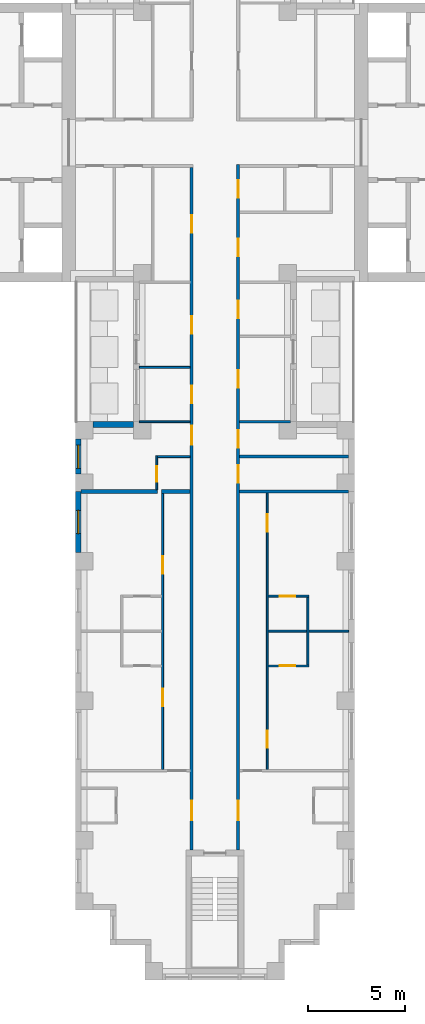
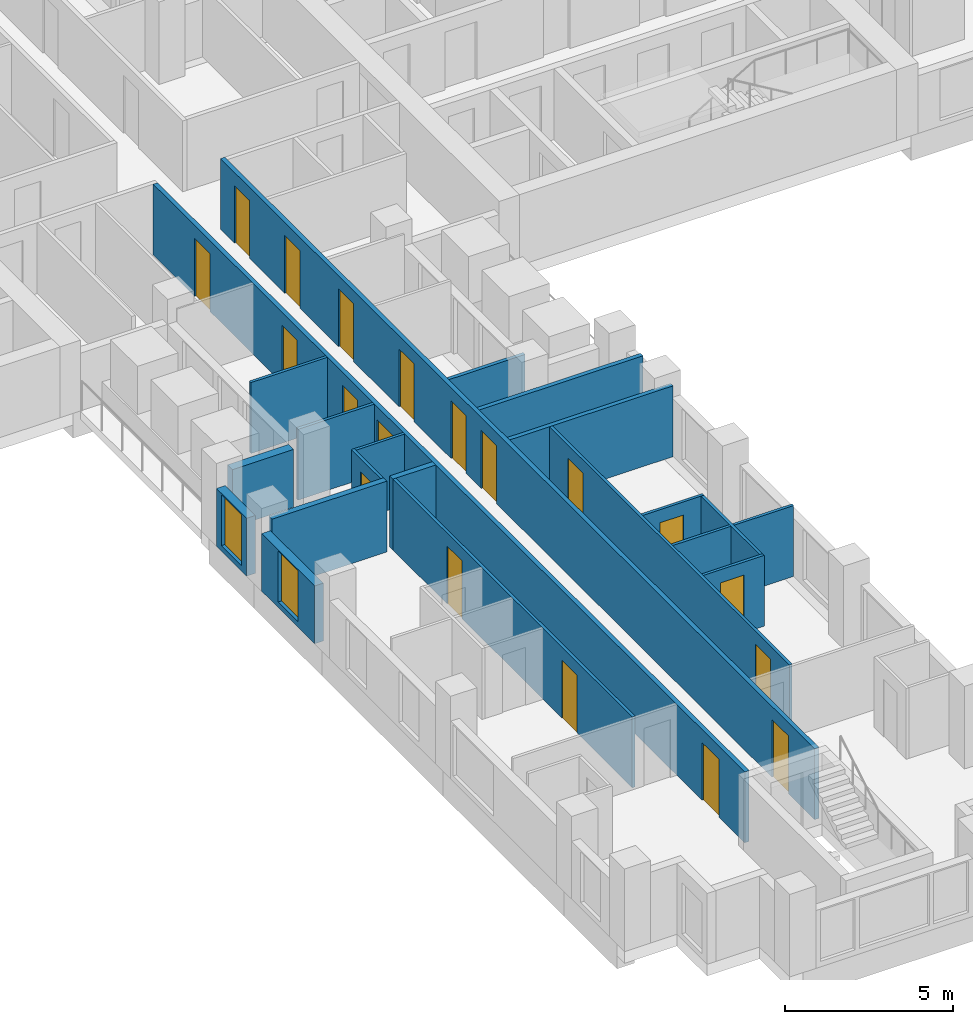
# One storey, part 4 of 15: 20 walls, 19 doors, 2 windows, 21 openings.
"""IFC4 building model written with IfcOpenShell, lengths in metres."""

from ifc_helpers import new_model, si_unit, direction, frame, frame_2d, origin, place, context, subcontext, project, spatial, rectangle, extrude, material, layer, layer_set, type_object, element, fill, save


model = new_model("IFC4")

# Units and contexts
model_context = context("Model", 3, precision=1e-05, world=origin(), true_north=direction((0.0, 1.0)))
body_context = subcontext(model_context, "Body", "Model", "MODEL_VIEW")
ifc_project = project(units=[si_unit("LENGTHUNIT", "METRE"), si_unit("AREAUNIT", "SQUARE_METRE"), si_unit("VOLUMEUNIT", "CUBIC_METRE"), si_unit("PLANEANGLEUNIT", "RADIAN"), si_unit("MASSUNIT", "GRAM", prefix="KILO")], contexts=[model_context])

# Site, building, storey
site_placement = place(None, origin())
site = spatial("IfcSite", under=ifc_project, at=site_placement, CompositionType="ELEMENT")
building_placement = place(site_placement, origin())
building = spatial("IfcBuilding", under=site, at=building_placement, Name="Fustian Cross Tower", CompositionType="ELEMENT")
storey_placement = place(building_placement, frame((0.0, 0.0, 53.699951171875)))
storey = spatial("IfcBuildingStorey", under=building, at=storey_placement, Name="L16", CompositionType="ELEMENT", Elevation=53.699951171875)

# Wall, openings, doors
ifc_material_1 = material(Name="Plasterboard on steel stud", Category="steel")
ifc_layer_1 = layer(ifc_material_1, 0.14990234375)
ifc_layer_set_1 = layer_set([ifc_layer_1], Name="Plasterboard on steel stud")
wall_type_1 = type_object("IfcWallType", Name="COMPARTMENT WALL 150 EI 60", PredefinedType="PARTITIONING", material=ifc_layer_set_1)
wall_1_placement = place(storey_placement, frame((-1.199951171875, -36.5, 0.0), z_axis=(0.0, 0.0, 1.0), x_axis=(0.0, 1.0, 0.0)))
wall_1 = element("IfcWall", 1, at=wall_1_placement, inside=storey, type_object=wall_type_1, Name="Partition 46", PredefinedType="PARTITIONING", context=body_context, shape_type="SweptSolid", body=[
    extrude(rectangle(XDim=35.22509765625, YDim=0.14990234375, at=frame_2d((17.612548828125, 0.0))), origin(), (0.0, 0.0, 1.0), 2.574951171875),
])
opening_1_placement = place(wall_1_placement, frame((31.85009765625, 0.0, 0.0)))
opening_1 = element("IfcOpeningElement", 2, at=opening_1_placement, cuts=wall_1, Name="Opening D09009", PredefinedType="OPENING", context=body_context, shape_type="SweptSolid", body=[
    extrude(rectangle(XDim=0.89990234375, YDim=2.10009765625, at=frame_2d((0.449951171875, 1.050048828125))), frame((0.0, 0.0849609375, 0.0), z_axis=(0.0, -1.0, 0.0), x_axis=(1.0, 0.0, 0.0)), (0.0, 0.0, 1.0), 0.169921875),
])
opening_2_placement = place(wall_1_placement, frame((23.050048828125, 0.0, 0.0)))
opening_2 = element("IfcOpeningElement", 3, at=opening_2_placement, cuts=wall_1, Name="Opening D09064", PredefinedType="OPENING", context=body_context, shape_type="SweptSolid", body=[
    extrude(rectangle(XDim=0.89990234375, YDim=2.10009765625, at=frame_2d((0.449951171875, 1.050048828125))), frame((0.0, 0.0849609375, 0.0), z_axis=(0.0, -1.0, 0.0), x_axis=(1.0, 0.0, 0.0)), (0.0, 0.0, 1.0), 0.169921875),
])
opening_3_placement = place(wall_1_placement, frame((26.64990234375, 0.0, 0.0)))
opening_3 = element("IfcOpeningElement", 4, at=opening_3_placement, cuts=wall_1, Name="Opening D09065", PredefinedType="OPENING", context=body_context, shape_type="SweptSolid", body=[
    extrude(rectangle(XDim=0.89990234375, YDim=2.10009765625, at=frame_2d((0.449951171875, 1.050048828125))), frame((0.0, 0.0849609375, 0.0), z_axis=(0.0, -1.0, 0.0), x_axis=(1.0, 0.0, 0.0)), (0.0, 0.0, 1.0), 0.169921875),
])
opening_4_placement = place(wall_1_placement, frame((20.89990234375, 0.0, 0.0)))
opening_4 = element("IfcOpeningElement", 5, at=opening_4_placement, cuts=wall_1, Name="Opening D09067", PredefinedType="OPENING", context=body_context, shape_type="SweptSolid", body=[
    extrude(rectangle(XDim=1.0, YDim=2.10009765625, at=frame_2d((0.5, 1.050048828125))), frame((0.0, 0.0849609375, 0.0), z_axis=(0.0, -1.0, 0.0), x_axis=(1.0, 0.0, 0.0)), (0.0, 0.0, 1.0), 0.169921875),
])
opening_5_placement = place(wall_1_placement, frame((1.550048828125, 0.0, 0.0)))
opening_5 = element("IfcOpeningElement", 6, at=opening_5_placement, cuts=wall_1, Name="Opening D09069", PredefinedType="OPENING", context=body_context, shape_type="SweptSolid", body=[
    extrude(rectangle(XDim=1.0, YDim=2.10009765625, at=frame_2d((0.5, 1.050048828125))), frame((0.0, 0.0849609375, 0.0), z_axis=(0.0, -1.0, 0.0), x_axis=(1.0, 0.0, 0.0)), (0.0, 0.0, 1.0), 0.169921875),
])
ifc_material_2 = material(Name="Timber fire door set", Category="wood")
door_type_1 = type_object("IfcDoorType", Name="FIRE SWING DOOR 1000 FD30S", OperationType="SINGLE_SWING_LEFT", PredefinedType="DOOR", material=ifc_material_2)
door_1_placement = place(opening_4_placement, origin())
door_1 = element("IfcDoor", 7, at=door_1_placement, inside=storey, type_object=door_type_1, Name="Door D09067", OperationType="SINGLE_SWING_RIGHT", OverallHeight=2.10009765625, OverallWidth=1.0, PredefinedType="DOOR", context=body_context, shape_type="SweptSolid", body=[
    extrude(rectangle(XDim=1.0, YDim=2.10009765625, at=frame_2d((0.5, 1.050048828125))), frame((0.0, 0.02490234375, 0.0), z_axis=(0.0, -1.0, 0.0), x_axis=(1.0, 0.0, 0.0)), (0.0, 0.0, 1.0), 0.050048828125),
])
fill(opening_4, door_1)
door_2_placement = place(opening_5_placement, origin())
door_2 = element("IfcDoor", 8, at=door_2_placement, inside=storey, type_object=door_type_1, Name="Door D09069", OperationType="SINGLE_SWING_RIGHT", OverallHeight=2.10009765625, OverallWidth=1.0, PredefinedType="DOOR", context=body_context, shape_type="SweptSolid", body=[
    extrude(rectangle(XDim=1.0, YDim=2.10009765625, at=frame_2d((0.5, 1.050048828125))), frame((0.0, 0.02490234375, 0.0), z_axis=(0.0, -1.0, 0.0), x_axis=(1.0, 0.0, 0.0)), (0.0, 0.0, 1.0), 0.050048828125),
])
fill(opening_5, door_2)
ifc_material_3 = material(Name="Timber fire door set", Category="wood")
door_type_2 = type_object("IfcDoorType", Name="FIRE SWING DOOR 900 FD30S", OperationType="SINGLE_SWING_LEFT", PredefinedType="DOOR", material=ifc_material_3)
door_3_placement = place(opening_1_placement, origin())
door_3 = element("IfcDoor", 9, at=door_3_placement, inside=storey, type_object=door_type_2, Name="Door D09009", OperationType="SINGLE_SWING_LEFT", OverallHeight=2.10009765625, OverallWidth=0.89990234375, PredefinedType="DOOR", context=body_context, shape_type="SweptSolid", body=[
    extrude(rectangle(XDim=0.89990234375, YDim=2.10009765625, at=frame_2d((0.449951171875, 1.050048828125))), frame((0.0, 0.02490234375, 0.0), z_axis=(0.0, -1.0, 0.0), x_axis=(1.0, 0.0, 0.0)), (0.0, 0.0, 1.0), 0.050048828125),
])
fill(opening_1, door_3)
door_4_placement = place(opening_2_placement, origin())
door_4 = element("IfcDoor", 10, at=door_4_placement, inside=storey, type_object=door_type_2, Name="Door D09064", OperationType="SINGLE_SWING_LEFT", OverallHeight=2.10009765625, OverallWidth=0.89990234375, PredefinedType="DOOR", context=body_context, shape_type="SweptSolid", body=[
    extrude(rectangle(XDim=0.89990234375, YDim=2.10009765625, at=frame_2d((0.449951171875, 1.050048828125))), frame((0.0, 0.02490234375, 0.0), z_axis=(0.0, -1.0, 0.0), x_axis=(1.0, 0.0, 0.0)), (0.0, 0.0, 1.0), 0.050048828125),
])
fill(opening_2, door_4)
door_5_placement = place(opening_3_placement, origin())
door_5 = element("IfcDoor", 11, at=door_5_placement, inside=storey, type_object=door_type_2, Name="Door D09065", OperationType="SINGLE_SWING_LEFT", OverallHeight=2.10009765625, OverallWidth=0.89990234375, PredefinedType="DOOR", context=body_context, shape_type="SweptSolid", body=[
    extrude(rectangle(XDim=0.89990234375, YDim=2.10009765625, at=frame_2d((0.449951171875, 1.050048828125))), frame((0.0, 0.02490234375, 0.0), z_axis=(0.0, -1.0, 0.0), x_axis=(1.0, 0.0, 0.0)), (0.0, 0.0, 1.0), 0.050048828125),
])
fill(opening_3, door_5)

wall_2_placement = place(storey_placement, frame((1.199951171875, -36.5, 0.0), z_axis=(0.0, 0.0, 1.0), x_axis=(0.0, 1.0, 0.0)))
wall_2 = element("IfcWall", 12, at=wall_2_placement, inside=storey, type_object=wall_type_1, Name="Partition 48", PredefinedType="PARTITIONING", context=body_context, shape_type="SweptSolid", body=[
    extrude(rectangle(XDim=35.375, YDim=0.14990234375, at=frame_2d((17.6875, 0.0))), origin(), (0.0, 0.0, 1.0), 2.574951171875),
])
opening_6_placement = place(wall_2_placement, frame((33.64990234375, 0.0, 0.0)))
opening_6 = element("IfcOpeningElement", 13, at=opening_6_placement, cuts=wall_2, Name="Opening D09006", PredefinedType="OPENING", context=body_context, shape_type="SweptSolid", body=[
    extrude(rectangle(XDim=0.89990234375, YDim=2.10009765625, at=frame_2d((0.449951171875, 1.050048828125))), frame((0.0, 0.0849609375, 0.0), z_axis=(0.0, -1.0, 0.0), x_axis=(1.0, 0.0, 0.0)), (0.0, 0.0, 1.0), 0.169921875),
])
opening_7_placement = place(wall_2_placement, frame((30.64990234375, 0.0, 0.0)))
opening_7 = element("IfcOpeningElement", 14, at=opening_7_placement, cuts=wall_2, Name="Opening D09008", PredefinedType="OPENING", context=body_context, shape_type="SweptSolid", body=[
    extrude(rectangle(XDim=0.89990234375, YDim=2.10009765625, at=frame_2d((0.449951171875, 1.050048828125))), frame((0.0, 0.0849609375, 0.0), z_axis=(0.0, -1.0, 0.0), x_axis=(1.0, 0.0, 0.0)), (0.0, 0.0, 1.0), 0.169921875),
])
opening_8_placement = place(wall_2_placement, frame((27.449951171875, 0.0, 0.0)))
opening_8 = element("IfcOpeningElement", 15, at=opening_8_placement, cuts=wall_2, Name="Opening D09053", PredefinedType="OPENING", context=body_context, shape_type="SweptSolid", body=[
    extrude(rectangle(XDim=0.89990234375, YDim=2.10009765625, at=frame_2d((0.449951171875, 1.050048828125))), frame((0.0, 0.0849609375, 0.0), z_axis=(0.0, -1.0, 0.0), x_axis=(1.0, 0.0, 0.0)), (0.0, 0.0, 1.0), 0.169921875),
])
opening_9_placement = place(wall_2_placement, frame((23.85009765625, 0.0, 0.0)))
opening_9 = element("IfcOpeningElement", 16, at=opening_9_placement, cuts=wall_2, Name="Opening D09054", PredefinedType="OPENING", context=body_context, shape_type="SweptSolid", body=[
    extrude(rectangle(XDim=0.89990234375, YDim=2.10009765625, at=frame_2d((0.449951171875, 1.050048828125))), frame((0.0, 0.0849609375, 0.0), z_axis=(0.0, -1.0, 0.0), x_axis=(1.0, 0.0, 0.0)), (0.0, 0.0, 1.0), 0.169921875),
])
opening_10_placement = place(wall_2_placement, frame((20.75, 0.0, 0.0)))
opening_10 = element("IfcOpeningElement", 17, at=opening_10_placement, cuts=wall_2, Name="Opening D09055", PredefinedType="OPENING", context=body_context, shape_type="SweptSolid", body=[
    extrude(rectangle(XDim=0.89990234375, YDim=2.10009765625, at=frame_2d((0.449951171875, 1.050048828125))), frame((0.0, 0.0849609375, 0.0), z_axis=(0.0, -1.0, 0.0), x_axis=(1.0, 0.0, 0.0)), (0.0, 0.0, 1.0), 0.169921875),
])
opening_11_placement = place(wall_2_placement, frame((18.949951171875, 0.0, 0.0)))
opening_11 = element("IfcOpeningElement", 18, at=opening_11_placement, cuts=wall_2, Name="Opening D09056", PredefinedType="OPENING", context=body_context, shape_type="SweptSolid", body=[
    extrude(rectangle(XDim=0.89990234375, YDim=2.10009765625, at=frame_2d((0.449951171875, 1.050048828125))), frame((0.0, 0.0849609375, 0.0), z_axis=(0.0, -1.0, 0.0), x_axis=(1.0, 0.0, 0.0)), (0.0, 0.0, 1.0), 0.169921875),
])
opening_12_placement = place(wall_2_placement, frame((1.550048828125, 0.0, 0.0)))
opening_12 = element("IfcOpeningElement", 19, at=opening_12_placement, cuts=wall_2, Name="Opening D09058", PredefinedType="OPENING", context=body_context, shape_type="SweptSolid", body=[
    extrude(rectangle(XDim=1.0, YDim=2.10009765625, at=frame_2d((0.5, 1.050048828125))), frame((0.0, 0.0849609375, 0.0), z_axis=(0.0, -1.0, 0.0), x_axis=(1.0, 0.0, 0.0)), (0.0, 0.0, 1.0), 0.169921875),
])
door_6_placement = place(opening_12_placement, frame((1.0, 0.0, 0.0), z_axis=(0.0, 0.0, 1.0), x_axis=(-1.0, 0.0, 0.0)))
door_6 = element("IfcDoor", 20, at=door_6_placement, inside=storey, type_object=door_type_1, Name="Door D09058", OperationType="SINGLE_SWING_LEFT", OverallHeight=2.10009765625, OverallWidth=1.0, PredefinedType="DOOR", context=body_context, shape_type="SweptSolid", body=[
    extrude(rectangle(XDim=1.0, YDim=2.10009765625, at=frame_2d((0.5, 1.050048828125))), frame((0.0, 0.02490234375, 0.0), z_axis=(0.0, -1.0, 0.0), x_axis=(1.0, 0.0, 0.0)), (0.0, 0.0, 1.0), 0.050048828125),
])
fill(opening_12, door_6)
door_7_placement = place(opening_6_placement, frame((0.89990234375, 0.0, 0.0), z_axis=(0.0, 0.0, 1.0), x_axis=(-1.0, 0.0, 0.0)))
door_7 = element("IfcDoor", 21, at=door_7_placement, inside=storey, type_object=door_type_2, Name="Door D09006", OperationType="SINGLE_SWING_RIGHT", OverallHeight=2.10009765625, OverallWidth=0.89990234375, PredefinedType="DOOR", context=body_context, shape_type="SweptSolid", body=[
    extrude(rectangle(XDim=0.89990234375, YDim=2.10009765625, at=frame_2d((0.449951171875, 1.050048828125))), frame((0.0, 0.02490234375, 0.0), z_axis=(0.0, -1.0, 0.0), x_axis=(1.0, 0.0, 0.0)), (0.0, 0.0, 1.0), 0.050048828125),
])
fill(opening_6, door_7)
door_8_placement = place(opening_7_placement, frame((0.89990234375, 0.0, 0.0), z_axis=(0.0, 0.0, 1.0), x_axis=(-1.0, 0.0, 0.0)))
door_8 = element("IfcDoor", 22, at=door_8_placement, inside=storey, type_object=door_type_2, Name="Door D09008", OperationType="SINGLE_SWING_RIGHT", OverallHeight=2.10009765625, OverallWidth=0.89990234375, PredefinedType="DOOR", context=body_context, shape_type="SweptSolid", body=[
    extrude(rectangle(XDim=0.89990234375, YDim=2.10009765625, at=frame_2d((0.449951171875, 1.050048828125))), frame((0.0, 0.02490234375, 0.0), z_axis=(0.0, -1.0, 0.0), x_axis=(1.0, 0.0, 0.0)), (0.0, 0.0, 1.0), 0.050048828125),
])
fill(opening_7, door_8)
door_9_placement = place(opening_8_placement, frame((0.89990234375, 0.0, 0.0), z_axis=(0.0, 0.0, 1.0), x_axis=(-1.0, 0.0, 0.0)))
door_9 = element("IfcDoor", 23, at=door_9_placement, inside=storey, type_object=door_type_2, Name="Door D09053", OperationType="SINGLE_SWING_RIGHT", OverallHeight=2.10009765625, OverallWidth=0.89990234375, PredefinedType="DOOR", context=body_context, shape_type="SweptSolid", body=[
    extrude(rectangle(XDim=0.89990234375, YDim=2.10009765625, at=frame_2d((0.449951171875, 1.050048828125))), frame((0.0, 0.02490234375, 0.0), z_axis=(0.0, -1.0, 0.0), x_axis=(1.0, 0.0, 0.0)), (0.0, 0.0, 1.0), 0.050048828125),
])
fill(opening_8, door_9)
door_10_placement = place(opening_9_placement, frame((0.89990234375, 0.0, 0.0), z_axis=(0.0, 0.0, 1.0), x_axis=(-1.0, 0.0, 0.0)))
door_10 = element("IfcDoor", 24, at=door_10_placement, inside=storey, type_object=door_type_2, Name="Door D09054", OperationType="SINGLE_SWING_RIGHT", OverallHeight=2.10009765625, OverallWidth=0.89990234375, PredefinedType="DOOR", context=body_context, shape_type="SweptSolid", body=[
    extrude(rectangle(XDim=0.89990234375, YDim=2.10009765625, at=frame_2d((0.449951171875, 1.050048828125))), frame((0.0, 0.02490234375, 0.0), z_axis=(0.0, -1.0, 0.0), x_axis=(1.0, 0.0, 0.0)), (0.0, 0.0, 1.0), 0.050048828125),
])
fill(opening_9, door_10)
door_11_placement = place(opening_10_placement, frame((0.89990234375, 0.0, 0.0), z_axis=(0.0, 0.0, 1.0), x_axis=(-1.0, 0.0, 0.0)))
door_11 = element("IfcDoor", 25, at=door_11_placement, inside=storey, type_object=door_type_2, Name="Door D09055", OperationType="SINGLE_SWING_LEFT", OverallHeight=2.10009765625, OverallWidth=0.89990234375, PredefinedType="DOOR", context=body_context, shape_type="SweptSolid", body=[
    extrude(rectangle(XDim=0.89990234375, YDim=2.10009765625, at=frame_2d((0.449951171875, 1.050048828125))), frame((0.0, 0.02490234375, 0.0), z_axis=(0.0, -1.0, 0.0), x_axis=(1.0, 0.0, 0.0)), (0.0, 0.0, 1.0), 0.050048828125),
])
fill(opening_10, door_11)
door_12_placement = place(opening_11_placement, frame((0.89990234375, 0.0, 0.0), z_axis=(0.0, 0.0, 1.0), x_axis=(-1.0, 0.0, 0.0)))
door_12 = element("IfcDoor", 26, at=door_12_placement, inside=storey, type_object=door_type_2, Name="Door D09056", OperationType="SINGLE_SWING_LEFT", OverallHeight=2.10009765625, OverallWidth=0.89990234375, PredefinedType="DOOR", context=body_context, shape_type="SweptSolid", body=[
    extrude(rectangle(XDim=0.89990234375, YDim=2.10009765625, at=frame_2d((0.449951171875, 1.050048828125))), frame((0.0, 0.02490234375, 0.0), z_axis=(0.0, -1.0, 0.0), x_axis=(1.0, 0.0, 0.0)), (0.0, 0.0, 1.0), 0.050048828125),
])
fill(opening_11, door_12)

# Walls
for number, where, z_axis, x_axis, name in (
    (27, (1.27490234375, -18.0, 0.0), (0.0, 0.0, 1.0), (1.0, 0.0, 0.0), "Partition 50"),
    (28, (1.27490234375, -16.199951171875, 0.0), (0.0, 0.0, 1.0), (1.0, 0.0, 0.0), "Partition 51"),
):
    element("IfcWall", number, at=place(storey_placement, frame(where, z_axis=z_axis, x_axis=x_axis)), inside=storey, type_object=wall_type_1, Name=name, PredefinedType="PARTITIONING", context=body_context, shape_type="SweptSolid", body=[
        extrude(rectangle(XDim=5.625, YDim=0.14990234375, at=frame_2d((2.8125, 0.0))), origin(), (0.0, 0.0, 1.0), 2.574951171875),
    ])
ifc_material_4 = material(Name="Plasterboard on steel stud", Category="steel")
ifc_layer_2 = layer(ifc_material_4, 0.10009765625)
ifc_layer_set_2 = layer_set([ifc_layer_2], Name="Plasterboard on steel stud")
wall_type_2 = type_object("IfcWallType", Name="PARTITION 100 STUD", PredefinedType="PARTITIONING", material=ifc_layer_set_2)
for number, where, z_axis, x_axis, name in (
    (29, (-3.89990234375, -14.39990234375, 0.0), (0.0, 0.0, 1.0), (1.0, 0.0, 0.0), "Partition 28"),
    (30, (-3.89990234375, -11.60009765625, 0.0), (0.0, 0.0, 1.0), (1.0, 0.0, 0.0), "Partition 29"),
):
    element("IfcWall", number, at=place(storey_placement, frame(where, z_axis=z_axis, x_axis=x_axis)), inside=storey, type_object=wall_type_2, Name=name, PredefinedType="PARTITIONING", context=body_context, shape_type="SweptSolid", body=[
        extrude(rectangle(XDim=2.625, YDim=0.10009765625, at=frame_2d((1.3125, 0.0))), origin(), (0.0, 0.0, 1.0), 2.574951171875),
    ])

# Wall, opening, door
wall_3_placement = place(storey_placement, frame((-3.0, -17.89990234375, 0.0), z_axis=(0.0, 0.0, 1.0), x_axis=(0.0, 1.0, 0.0)))
wall_3 = element("IfcWall", 31, at=wall_3_placement, inside=storey, type_object=wall_type_2, Name="Partition 42", PredefinedType="PARTITIONING", context=body_context, shape_type="SweptSolid", body=[
    extrude(rectangle(XDim=1.75, YDim=0.10009765625, at=frame_2d((0.875, 0.0))), origin(), (0.0, 0.0, 1.0), 2.574951171875),
])
opening_13_placement = place(wall_3_placement, frame((0.39990234375, 0.0, 0.0)))
opening_13 = element("IfcOpeningElement", 32, at=opening_13_placement, cuts=wall_3, Name="Opening D09066", PredefinedType="OPENING", context=body_context, shape_type="SweptSolid", body=[
    extrude(rectangle(XDim=0.800048828125, YDim=2.10009765625, at=frame_2d((0.39990234375, 1.050048828125))), frame((0.0, 0.06005859375, 0.0), z_axis=(0.0, -1.0, 0.0), x_axis=(1.0, 0.0, 0.0)), (0.0, 0.0, 1.0), 0.1201171875),
])
ifc_material_5 = material(Name="Painted timber", Category="wood")
door_type_3 = type_object("IfcDoorType", Name="SWING DOOR 800", OperationType="SINGLE_SWING_LEFT", PredefinedType="DOOR", material=ifc_material_5)
door_13_placement = place(opening_13_placement, frame((0.800048828125, 0.0, 0.0), z_axis=(0.0, 0.0, 1.0), x_axis=(-1.0, 0.0, 0.0)))
door_13 = element("IfcDoor", 33, at=door_13_placement, inside=storey, type_object=door_type_3, Name="Door D09066", OperationType="SINGLE_SWING_LEFT", OverallHeight=2.10009765625, OverallWidth=0.800048828125, PredefinedType="DOOR", context=body_context, shape_type="SweptSolid", body=[
    extrude(rectangle(XDim=0.800048828125, YDim=2.10009765625, at=frame_2d((0.39990234375, 1.050048828125))), frame((0.0, 0.02490234375, 0.0), z_axis=(0.0, -1.0, 0.0), x_axis=(1.0, 0.0, 0.0)), (0.0, 0.0, 1.0), 0.050048828125),
])
fill(opening_13, door_13)

# Wall
wall_4_placement = place(storey_placement, frame((-2.949951171875, -16.199951171875, 0.0), z_axis=(0.0, 0.0, 1.0), x_axis=(1.0, 0.0, 0.0)))
element("IfcWall", 34, at=wall_4_placement, inside=storey, type_object=wall_type_2, Name="Partition 43", PredefinedType="PARTITIONING", context=body_context, shape_type="SweptSolid", body=[
    extrude(rectangle(XDim=1.675048828125, YDim=0.10009765625, at=frame_2d((0.83740234375, 0.0))), origin(), (0.0, 0.0, 1.0), 2.574951171875),
])

# Wall, openings, doors
wall_5_placement = place(storey_placement, frame((-2.699951171875, -32.35009765625, 0.0), z_axis=(0.0, 0.0, 1.0), x_axis=(0.0, 1.0, 0.0)))
wall_5 = element("IfcWall", 35, at=wall_5_placement, inside=storey, type_object=wall_type_2, Name="Partition 44", PredefinedType="PARTITIONING", context=body_context, shape_type="SweptSolid", body=[
    extrude(rectangle(XDim=14.25, YDim=0.10009765625, at=frame_2d((7.125, 0.0))), origin(), (0.0, 0.0, 1.0), 2.574951171875),
])
opening_14_placement = place(wall_5_placement, frame((3.280029296875, 0.0, 0.0)))
opening_14 = element("IfcOpeningElement", 36, at=opening_14_placement, cuts=wall_5, Name="Opening D09070", PredefinedType="OPENING", context=body_context, shape_type="SweptSolid", body=[
    extrude(rectangle(XDim=0.89990234375, YDim=2.10009765625, at=frame_2d((0.449951171875, 1.050048828125))), frame((0.0, 0.06005859375, 0.0), z_axis=(0.0, -1.0, 0.0), x_axis=(1.0, 0.0, 0.0)), (0.0, 0.0, 1.0), 0.1201171875),
])
opening_15_placement = place(wall_5_placement, frame((10.119873046875, 0.0, 0.0)))
opening_15 = element("IfcOpeningElement", 37, at=opening_15_placement, cuts=wall_5, Name="Opening D09071", PredefinedType="OPENING", context=body_context, shape_type="SweptSolid", body=[
    extrude(rectangle(XDim=0.89990234375, YDim=2.10009765625, at=frame_2d((0.449951171875, 1.050048828125))), frame((0.0, 0.06005859375, 0.0), z_axis=(0.0, -1.0, 0.0), x_axis=(1.0, 0.0, 0.0)), (0.0, 0.0, 1.0), 0.1201171875),
])
ifc_material_6 = material(Name="Painted timber", Category="wood")
door_type_4 = type_object("IfcDoorType", Name="SWING DOOR 900", OperationType="SINGLE_SWING_LEFT", PredefinedType="DOOR", material=ifc_material_6)
door_14_placement = place(opening_14_placement, frame((0.89990234375, 0.0, 0.0), z_axis=(0.0, 0.0, 1.0), x_axis=(-1.0, 0.0, 0.0)))
door_14 = element("IfcDoor", 38, at=door_14_placement, inside=storey, type_object=door_type_4, Name="Door D09070", OperationType="SINGLE_SWING_RIGHT", OverallHeight=2.10009765625, OverallWidth=0.89990234375, PredefinedType="DOOR", context=body_context, shape_type="SweptSolid", body=[
    extrude(rectangle(XDim=0.89990234375, YDim=2.10009765625, at=frame_2d((0.449951171875, 1.050048828125))), frame((0.0, 0.02490234375, 0.0), z_axis=(0.0, -1.0, 0.0), x_axis=(1.0, 0.0, 0.0)), (0.0, 0.0, 1.0), 0.050048828125),
])
fill(opening_14, door_14)
door_15_placement = place(opening_15_placement, frame((0.89990234375, 0.0, 0.0), z_axis=(0.0, 0.0, 1.0), x_axis=(-1.0, 0.0, 0.0)))
door_15 = element("IfcDoor", 39, at=door_15_placement, inside=storey, type_object=door_type_4, Name="Door D09071", OperationType="SINGLE_SWING_LEFT", OverallHeight=2.10009765625, OverallWidth=0.89990234375, PredefinedType="DOOR", context=body_context, shape_type="SweptSolid", body=[
    extrude(rectangle(XDim=0.89990234375, YDim=2.10009765625, at=frame_2d((0.449951171875, 1.050048828125))), frame((0.0, 0.02490234375, 0.0), z_axis=(0.0, -1.0, 0.0), x_axis=(1.0, 0.0, 0.0)), (0.0, 0.0, 1.0), 0.050048828125),
])
fill(opening_15, door_15)

wall_6_placement = place(storey_placement, frame((2.699951171875, -32.35009765625, 0.0), z_axis=(0.0, 0.0, 1.0), x_axis=(0.0, 1.0, 0.0)))
wall_6 = element("IfcWall", 40, at=wall_6_placement, inside=storey, type_object=wall_type_2, Name="Partition 64", PredefinedType="PARTITIONING", context=body_context, shape_type="SweptSolid", body=[
    extrude(rectangle(XDim=14.275146484375, YDim=0.10009765625, at=frame_2d((7.1376953125, 0.0))), origin(), (0.0, 0.0, 1.0), 2.574951171875),
])
opening_16_placement = place(wall_6_placement, frame((1.1201171875, 0.0, 0.0)))
opening_16 = element("IfcOpeningElement", 41, at=opening_16_placement, cuts=wall_6, Name="Opening D09060", PredefinedType="OPENING", context=body_context, shape_type="SweptSolid", body=[
    extrude(rectangle(XDim=0.89990234375, YDim=2.10009765625, at=frame_2d((0.449951171875, 1.050048828125))), frame((0.0, 0.06005859375, 0.0), z_axis=(0.0, -1.0, 0.0), x_axis=(1.0, 0.0, 0.0)), (0.0, 0.0, 1.0), 0.1201171875),
])
opening_17_placement = place(wall_6_placement, frame((12.280029296875, 0.0, 0.0)))
opening_17 = element("IfcOpeningElement", 42, at=opening_17_placement, cuts=wall_6, Name="Opening D09061", PredefinedType="OPENING", context=body_context, shape_type="SweptSolid", body=[
    extrude(rectangle(XDim=0.89990234375, YDim=2.10009765625, at=frame_2d((0.449951171875, 1.050048828125))), frame((0.0, 0.06005859375, 0.0), z_axis=(0.0, -1.0, 0.0), x_axis=(1.0, 0.0, 0.0)), (0.0, 0.0, 1.0), 0.1201171875),
])
door_16_placement = place(opening_16_placement, origin())
door_16 = element("IfcDoor", 43, at=door_16_placement, inside=storey, type_object=door_type_4, Name="Door D09060", OperationType="SINGLE_SWING_LEFT", OverallHeight=2.10009765625, OverallWidth=0.89990234375, PredefinedType="DOOR", context=body_context, shape_type="SweptSolid", body=[
    extrude(rectangle(XDim=0.89990234375, YDim=2.10009765625, at=frame_2d((0.449951171875, 1.050048828125))), frame((0.0, 0.02490234375, 0.0), z_axis=(0.0, -1.0, 0.0), x_axis=(1.0, 0.0, 0.0)), (0.0, 0.0, 1.0), 0.050048828125),
])
fill(opening_16, door_16)
door_17_placement = place(opening_17_placement, origin())
door_17 = element("IfcDoor", 44, at=door_17_placement, inside=storey, type_object=door_type_4, Name="Door D09061", OperationType="SINGLE_SWING_RIGHT", OverallHeight=2.10009765625, OverallWidth=0.89990234375, PredefinedType="DOOR", context=body_context, shape_type="SweptSolid", body=[
    extrude(rectangle(XDim=0.89990234375, YDim=2.10009765625, at=frame_2d((0.449951171875, 1.050048828125))), frame((0.0, 0.02490234375, 0.0), z_axis=(0.0, -1.0, 0.0), x_axis=(1.0, 0.0, 0.0)), (0.0, 0.0, 1.0), 0.050048828125),
])
fill(opening_17, door_17)

# Wall, opening, door
wall_7_placement = place(storey_placement, frame((2.75, -27.0, 0.0), z_axis=(0.0, 0.0, 1.0), x_axis=(1.0, 0.0, 0.0)))
wall_7 = element("IfcWall", 45, at=wall_7_placement, inside=storey, type_object=wall_type_2, Name="Partition 65", PredefinedType="PARTITIONING", context=body_context, shape_type="SweptSolid", body=[
    extrude(rectangle(XDim=2.10009765625, YDim=0.10009765625, at=frame_2d((1.050048828125, 0.0))), origin(), (0.0, 0.0, 1.0), 2.574951171875),
])
opening_18_placement = place(wall_7_placement, frame((0.60009765625, 0.0, 0.0)))
opening_18 = element("IfcOpeningElement", 46, at=opening_18_placement, cuts=wall_7, Name="Opening D09063", PredefinedType="OPENING", context=body_context, shape_type="SweptSolid", body=[
    extrude(rectangle(XDim=0.800048828125, YDim=2.10009765625, at=frame_2d((0.39990234375, 1.050048828125))), frame((0.0, 0.06005859375, 0.0), z_axis=(0.0, -1.0, 0.0), x_axis=(1.0, 0.0, 0.0)), (0.0, 0.0, 1.0), 0.1201171875),
])
door_18_placement = place(opening_18_placement, origin())
door_18 = element("IfcDoor", 47, at=door_18_placement, inside=storey, type_object=door_type_3, Name="Door D09063", OperationType="SINGLE_SWING_LEFT", OverallHeight=2.10009765625, OverallWidth=0.800048828125, PredefinedType="DOOR", context=body_context, shape_type="SweptSolid", body=[
    extrude(rectangle(XDim=0.800048828125, YDim=2.10009765625, at=frame_2d((0.39990234375, 1.050048828125))), frame((0.0, 0.02490234375, 0.0), z_axis=(0.0, -1.0, 0.0), x_axis=(1.0, 0.0, 0.0)), (0.0, 0.0, 1.0), 0.050048828125),
])
fill(opening_18, door_18)

# Wall
wall_8_placement = place(storey_placement, frame((2.75, -25.199951171875, 0.0), z_axis=(0.0, 0.0, 1.0), x_axis=(1.0, 0.0, 0.0)))
element("IfcWall", 48, at=wall_8_placement, inside=storey, type_object=wall_type_2, Name="Partition 66", PredefinedType="PARTITIONING", context=body_context, shape_type="SweptSolid", body=[
    extrude(rectangle(XDim=4.14990234375, YDim=0.10009765625, at=frame_2d((2.074951171875, 0.0))), origin(), (0.0, 0.0, 1.0), 2.574951171875),
])

# Wall, opening, door
wall_9_placement = place(storey_placement, frame((2.75, -23.39990234375, 0.0), z_axis=(0.0, 0.0, 1.0), x_axis=(1.0, 0.0, 0.0)))
wall_9 = element("IfcWall", 49, at=wall_9_placement, inside=storey, type_object=wall_type_2, Name="Partition 67", PredefinedType="PARTITIONING", context=body_context, shape_type="SweptSolid", body=[
    extrude(rectangle(XDim=2.10009765625, YDim=0.10009765625, at=frame_2d((1.050048828125, 0.0))), origin(), (0.0, 0.0, 1.0), 2.574951171875),
])
opening_19_placement = place(wall_9_placement, frame((0.60009765625, 0.0, 0.0)))
opening_19 = element("IfcOpeningElement", 50, at=opening_19_placement, cuts=wall_9, Name="Opening D09062", PredefinedType="OPENING", context=body_context, shape_type="SweptSolid", body=[
    extrude(rectangle(XDim=0.800048828125, YDim=2.10009765625, at=frame_2d((0.39990234375, 1.050048828125))), frame((0.0, 0.06005859375, 0.0), z_axis=(0.0, -1.0, 0.0), x_axis=(1.0, 0.0, 0.0)), (0.0, 0.0, 1.0), 0.1201171875),
])
door_19_placement = place(opening_19_placement, frame((0.800048828125, 0.0, 0.0), z_axis=(0.0, 0.0, 1.0), x_axis=(-1.0, 0.0, 0.0)))
door_19 = element("IfcDoor", 51, at=door_19_placement, inside=storey, type_object=door_type_3, Name="Door D09062", OperationType="SINGLE_SWING_RIGHT", OverallHeight=2.10009765625, OverallWidth=0.800048828125, PredefinedType="DOOR", context=body_context, shape_type="SweptSolid", body=[
    extrude(rectangle(XDim=0.800048828125, YDim=2.10009765625, at=frame_2d((0.39990234375, 1.050048828125))), frame((0.0, 0.02490234375, 0.0), z_axis=(0.0, -1.0, 0.0), x_axis=(1.0, 0.0, 0.0)), (0.0, 0.0, 1.0), 0.050048828125),
])
fill(opening_19, door_19)

# Walls
wall_10_placement = place(storey_placement, frame((4.800048828125, -26.949951171875, 0.0), z_axis=(0.0, 0.0, 1.0), x_axis=(0.0, 1.0, 0.0)))
element("IfcWall", 52, at=wall_10_placement, inside=storey, type_object=wall_type_2, Name="Partition 77", PredefinedType="PARTITIONING", context=body_context, shape_type="SweptSolid", body=[
    extrude(rectangle(XDim=3.5, YDim=0.10009765625, at=frame_2d((1.75, 0.0))), origin(), (0.0, 0.0, 1.0), 2.574951171875),
])
ifc_material_7 = material(Name="Plasterboard on steel stud", Category="steel")
ifc_layer_3 = layer(ifc_material_7, 0.199951171875)
ifc_layer_set_3 = layer_set([ifc_layer_3], Name="Plasterboard on steel stud")
wall_type_3 = type_object("IfcWallType", Name="PARTY WALL 200 EI 60", PredefinedType="PARTITIONING", material=ifc_layer_set_3)
wall_11_placement = place(storey_placement, frame((-6.89990234375, -18.0, 0.0), z_axis=(0.0, 0.0, 1.0), x_axis=(1.0, 0.0, 0.0)))
element("IfcWall", 53, at=wall_11_placement, inside=storey, type_object=wall_type_3, Name="Partition 18", PredefinedType="PARTITIONING", context=body_context, shape_type="SweptSolid", body=[
    extrude(rectangle(XDim=3.949951171875, YDim=0.199951171875, at=frame_2d((1.97509765625, 0.0))), origin(), (0.0, 0.0, 1.0), 2.574951171875),
])
wall_12_placement = place(storey_placement, frame((-2.75, -18.0, 0.0), z_axis=(0.0, 0.0, 1.0), x_axis=(1.0, 0.0, 0.0)))
element("IfcWall", 54, at=wall_12_placement, inside=storey, type_object=wall_type_3, Name="Partition 45", PredefinedType="PARTITIONING", context=body_context, shape_type="SweptSolid", body=[
    extrude(rectangle(XDim=1.47509765625, YDim=0.199951171875, at=frame_2d((0.737548828125, 0.0))), origin(), (0.0, 0.0, 1.0), 2.574951171875),
])
ifc_material_8 = material(Name="Plasterboard on steel stud", Category="steel")
ifc_layer_4 = layer(ifc_material_8, 0.125)
ifc_layer_set_4 = layer_set([ifc_layer_4], Name="Plasterboard on steel stud")
wall_type_4 = type_object("IfcWallType", Name="WET WALL 125 STUD", PredefinedType="PARTITIONING", material=ifc_layer_set_4)
wall_13_placement = place(storey_placement, frame((1.27490234375, -14.39990234375, 0.0), z_axis=(0.0, 0.0, 1.0), x_axis=(1.0, 0.0, 0.0)))
element("IfcWall", 55, at=wall_13_placement, inside=storey, type_object=wall_type_4, Name="Partition 52", PredefinedType="PARTITIONING", context=body_context, shape_type="SweptSolid", body=[
    extrude(rectangle(XDim=2.625, YDim=0.125, at=frame_2d((1.3125, 0.0))), origin(), (0.0, 0.0, 1.0), 2.574951171875),
])
ifc_material_9 = material(Name="Dark aluminium cladding on insulated backing wall", Category="aluminium")
ifc_layer_5 = layer(ifc_material_9, 0.300048828125)
ifc_layer_set_5 = layer_set([ifc_layer_5], Name="Dark aluminium cladding on insulated backing wall")
wall_type_5 = type_object("IfcWallType", Name="XW1 EXTERNAL WALL 300", PredefinedType="SOLIDWALL", material=ifc_layer_set_5)
wall_14_placement = place(storey_placement, frame((-4.199951171875, -14.550048828125, 0.0), z_axis=(0.0, 0.0, 1.0), x_axis=(-1.0, 0.0, 0.0)))
element("IfcWall", 56, at=wall_14_placement, inside=storey, type_object=wall_type_5, Name="External wall", PredefinedType="SOLIDWALL", context=body_context, shape_type="SweptSolid", body=[
    extrude(rectangle(XDim=2.10009765625, YDim=0.300048828125, at=frame_2d((1.050048828125, 0.0))), origin(), (0.0, 0.0, 1.0), 2.10009765625),
])

# Wall, opening, window
wall_15_placement = place(storey_placement, frame((-7.050048828125, -15.300048828125, 0.0), z_axis=(0.0, 0.0, 1.0), x_axis=(0.0, -1.0, 0.0)))
wall_15 = element("IfcWall", 57, at=wall_15_placement, inside=storey, type_object=wall_type_5, Name="External wall", PredefinedType="SOLIDWALL", context=body_context, shape_type="SweptSolid", body=[
    extrude(rectangle(XDim=1.800048828125, YDim=0.300048828125, at=frame_2d((0.89990234375, 0.0))), origin(), (0.0, 0.0, 1.0), 2.10009765625),
])
opening_20_placement = place(wall_15_placement, frame((0.300048828125, 0.0, 0.199951171875)))
opening_20 = element("IfcOpeningElement", 58, at=opening_20_placement, cuts=wall_15, Name="Opening WN3", PredefinedType="OPENING", context=body_context, shape_type="SweptSolid", body=[
    extrude(rectangle(XDim=1.199951171875, YDim=1.85009765625, at=frame_2d((0.60009765625, 0.925048828125))), frame((0.0, 0.159912109375, 0.0), z_axis=(0.0, -1.0, 0.0), x_axis=(1.0, 0.0, 0.0)), (0.0, 0.0, 1.0), 0.320068359375),
])
ifc_material_10 = material(Name="Dark anodised aluminium and double glazing", Category="aluminium")
window_type = type_object("IfcWindowType", Name="WN3 WINDOW 1200X1850", PartitioningType="SINGLE_PANEL", PredefinedType="WINDOW", material=ifc_material_10)
window_1_placement = place(opening_20_placement, origin())
window_1 = element("IfcWindow", 59, at=window_1_placement, inside=storey, type_object=window_type, Name="Window", OverallHeight=1.85009765625, OverallWidth=1.199951171875, PartitioningType="SINGLE_PANEL", PredefinedType="WINDOW", context=body_context, shape_type="SweptSolid", body=[
    extrude(rectangle(XDim=1.199951171875, YDim=1.85009765625, at=frame_2d((0.60009765625, 0.925048828125))), frame((0.0, 0.030029296875, 0.0), z_axis=(0.0, -1.0, 0.0), x_axis=(1.0, 0.0, 0.0)), (0.0, 0.0, 1.0), 0.06005859375),
])
fill(opening_20, window_1)

wall_16_placement = place(storey_placement, frame((-7.050048828125, -18.0, 0.0), z_axis=(0.0, 0.0, 1.0), x_axis=(0.0, -1.0, 0.0)))
wall_16 = element("IfcWall", 60, at=wall_16_placement, inside=storey, type_object=wall_type_5, Name="External wall", PredefinedType="SOLIDWALL", context=body_context, shape_type="SweptSolid", body=[
    extrude(rectangle(XDim=3.14990234375, YDim=0.300048828125, at=frame_2d((1.574951171875, 0.0))), origin(), (0.0, 0.0, 1.0), 2.10009765625),
])
opening_21_placement = place(wall_16_placement, frame((0.97509765625, 0.0, 0.199951171875)))
opening_21 = element("IfcOpeningElement", 61, at=opening_21_placement, cuts=wall_16, Name="Opening WN3", PredefinedType="OPENING", context=body_context, shape_type="SweptSolid", body=[
    extrude(rectangle(XDim=1.199951171875, YDim=1.85009765625, at=frame_2d((0.60009765625, 0.925048828125))), frame((0.0, 0.159912109375, 0.0), z_axis=(0.0, -1.0, 0.0), x_axis=(1.0, 0.0, 0.0)), (0.0, 0.0, 1.0), 0.320068359375),
])
window_2_placement = place(opening_21_placement, origin())
window_2 = element("IfcWindow", 62, at=window_2_placement, inside=storey, type_object=window_type, Name="Window", OverallHeight=1.85009765625, OverallWidth=1.199951171875, PartitioningType="SINGLE_PANEL", PredefinedType="WINDOW", context=body_context, shape_type="SweptSolid", body=[
    extrude(rectangle(XDim=1.199951171875, YDim=1.85009765625, at=frame_2d((0.60009765625, 0.925048828125))), frame((0.0, 0.030029296875, 0.0), z_axis=(0.0, -1.0, 0.0), x_axis=(1.0, 0.0, 0.0)), (0.0, 0.0, 1.0), 0.06005859375),
])
fill(opening_21, window_2)

save(model, "model.ifc")
